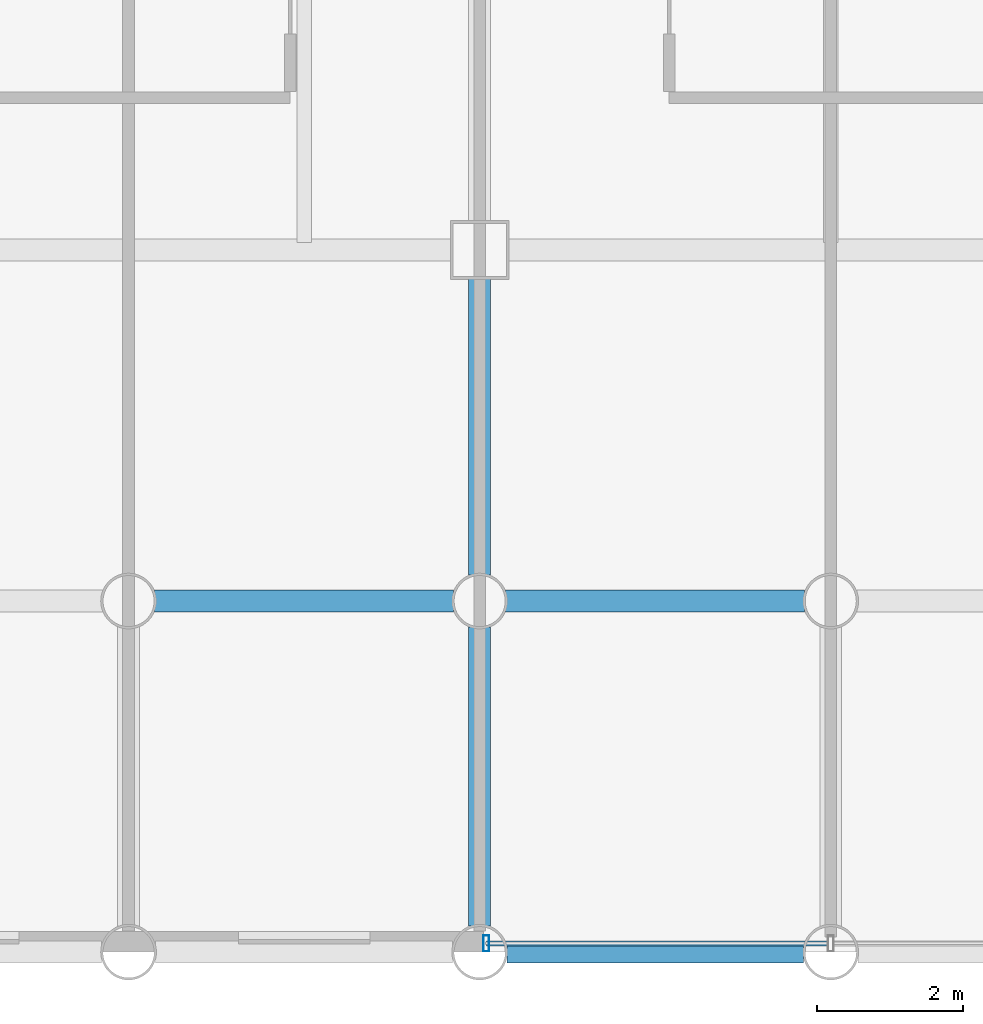
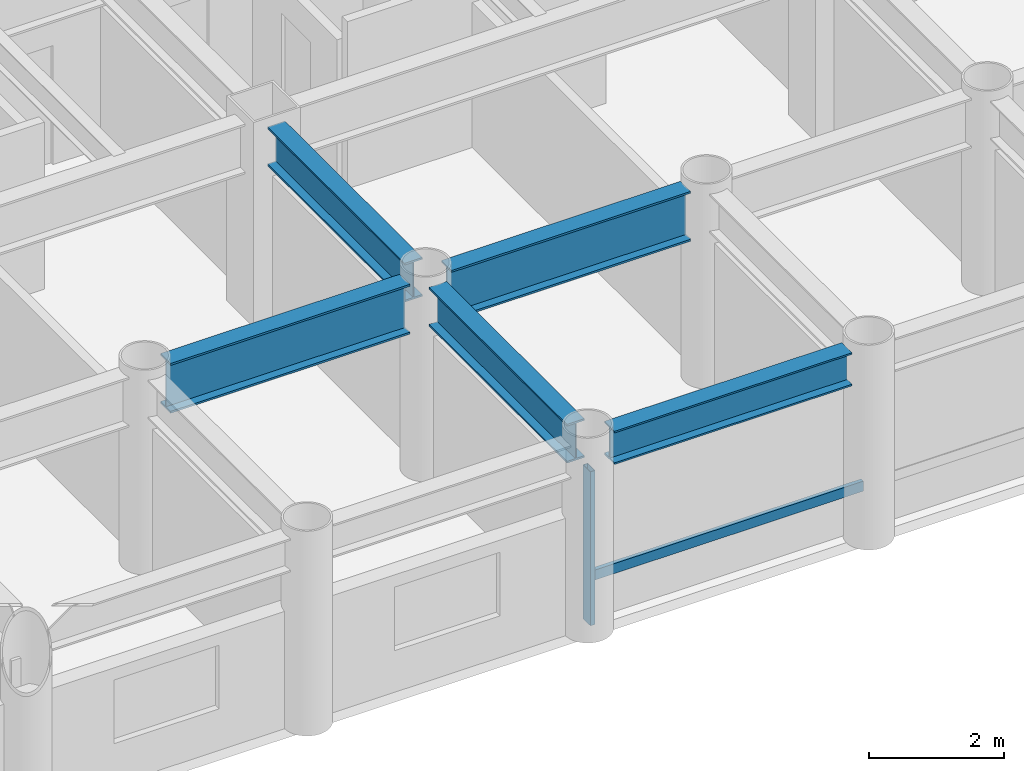
# One storey, part 2 of 22: 5 beams, 2 members, 1 element without a shape of its own.
"""IFC4 building model written with IfcOpenShell, lengths in metres."""

from ifc_helpers import new_model, si_unit, direction, frame, origin, origin_2d, place, context, subcontext, project, spatial, hollow_rectangle, i_section, extrude, material, layer, layer_set, material_profile, profile_set, type_object, element, aggregate, save


model = new_model("IFC4")

# Units and contexts
model_context = context("Model", 3, precision=1e-05, world=origin(), true_north=direction((0.0, 1.0)))
body_context = subcontext(model_context, "Body", "Model", "MODEL_VIEW")
ifc_project = project(units=[si_unit("LENGTHUNIT", "METRE"), si_unit("AREAUNIT", "SQUARE_METRE"), si_unit("VOLUMEUNIT", "CUBIC_METRE"), si_unit("PLANEANGLEUNIT", "RADIAN"), si_unit("MASSUNIT", "GRAM", prefix="KILO")], contexts=[model_context])

# Site, building, storey
site_placement = place(None, origin())
site = spatial("IfcSite", under=ifc_project, at=site_placement, CompositionType="ELEMENT")
building_placement = place(site_placement, origin())
building = spatial("IfcBuilding", under=site, at=building_placement, Name="Kallvorn Hotel Tower", CompositionType="ELEMENT")
storey_placement = place(building_placement, frame((0.0, 0.0, 33.699951171875)))
storey = spatial("IfcBuildingStorey", under=building, at=storey_placement, Name="L06", CompositionType="ELEMENT", Elevation=33.699951171875)

# Beams
ifc_material_1 = material(Name="Structural steel S355JR", Category="steel")
ifc_material_profile_1 = material_profile(ifc_material_1, i_section(OverallWidth=0.300048828125, OverallDepth=0.60009765625, WebThickness=0.015380859375, FlangeThickness=0.030029296875, at=origin_2d()), Name="HE 600 B")
ifc_profile_set_1 = profile_set([ifc_material_profile_1], Name="Structural steel S355JR")
beam_type_1 = type_object("IfcBeamType", Name="BM_HE600B", PredefinedType="SPANDREL", material=ifc_profile_set_1)
beam_1_placement = place(storey_placement, frame((-4.428955078125, -24.0, 3.219970703125), z_axis=(1.0, 0.0, 0.0), x_axis=(0.0, 1.0, 0.0)))
element("IfcBeam", 1, at=beam_1_placement, inside=storey, type_object=beam_type_1, Name="L07 Perimeter Spandrel 156", PredefinedType="SPANDREL", context=body_context, shape_type="SweptSolid", body=[
    extrude(i_section(OverallWidth=0.300048828125, OverallDepth=0.60009765625, WebThickness=0.015380859375, FlangeThickness=0.030029296875, at=origin_2d()), origin(), (0.0, 0.0, 1.0), 4.057861328125),
])
ifc_material_2 = material(Name="Structural steel S355JR", Category="steel")
ifc_material_profile_2 = material_profile(ifc_material_2, i_section(OverallWidth=0.300048828125, OverallDepth=0.699951171875, WebThickness=0.01708984375, FlangeThickness=0.031982421875, at=origin_2d()), Name="HE 700 B")
ifc_profile_set_2 = profile_set([ifc_material_profile_2], Name="Structural steel S355JR")
beam_type_2 = type_object("IfcBeamType", Name="BM_HE700B", PredefinedType="BEAM", material=ifc_profile_set_2)
beam_2_placement = place(storey_placement, frame((-4.800048828125, -23.64404296875, 3.170166015625), z_axis=(0.0, 1.0, 0.0), x_axis=(-1.0, 0.0, 0.0)))
element("IfcBeam", 2, at=beam_2_placement, inside=storey, type_object=beam_type_2, Name="L07 Primary Y-Girder 106", PredefinedType="BEAM", context=body_context, shape_type="SweptSolid", body=[
    extrude(i_section(OverallWidth=0.300048828125, OverallDepth=0.699951171875, WebThickness=0.01708984375, FlangeThickness=0.031982421875, at=origin_2d()), origin(), (0.0, 0.0, 1.0), 4.088134765625),
])
beam_3_placement = place(storey_placement, frame((-4.800048828125, -18.843994140625, 3.170166015625), z_axis=(0.0, 1.0, 0.0), x_axis=(-1.0, 0.0, 0.0)))
element("IfcBeam", 3, at=beam_3_placement, inside=storey, type_object=beam_type_2, Name="L07 Primary Y-Girder 107", PredefinedType="BEAM", context=body_context, shape_type="SweptSolid", body=[
    extrude(i_section(OverallWidth=0.300048828125, OverallDepth=0.699951171875, WebThickness=0.01708984375, FlangeThickness=0.031982421875, at=origin_2d()), origin(), (0.0, 0.0, 1.0), 4.069091796875),
])
ifc_material_3 = material(Name="Structural steel S355JR", Category="steel")
ifc_material_profile_3 = material_profile(ifc_material_3, i_section(OverallWidth=0.300048828125, OverallDepth=0.89990234375, WebThickness=0.0185546875, FlangeThickness=0.034912109375, at=origin_2d()), Name="HE 900 B")
ifc_profile_set_3 = profile_set([ifc_material_profile_3], Name="Structural steel S355JR")
beam_type_3 = type_object("IfcBeamType", Name="BM_HE900B", PredefinedType="BEAM", material=ifc_profile_set_3)
beam_4_placement = place(storey_placement, frame((-9.243896484375, -19.199951171875, 3.070068359375), z_axis=(1.0, 0.0, 0.0), x_axis=(0.0, 1.0, 0.0)))
element("IfcBeam", 4, at=beam_4_placement, inside=storey, type_object=beam_type_3, Name="L07 Primary X-Girder 06", PredefinedType="BEAM", context=body_context, shape_type="SweptSolid", body=[
    extrude(i_section(OverallWidth=0.300048828125, OverallDepth=0.89990234375, WebThickness=0.0185546875, FlangeThickness=0.034912109375, at=origin_2d()), origin(), (0.0, 0.0, 1.0), 4.087890625),
])
beam_5_placement = place(storey_placement, frame((-4.444091796875, -19.199951171875, 3.070068359375), z_axis=(1.0, 0.0, 0.0), x_axis=(0.0, 1.0, 0.0)))
element("IfcBeam", 5, at=beam_5_placement, inside=storey, type_object=beam_type_3, Name="L07 Primary X-Girder 07", PredefinedType="BEAM", context=body_context, shape_type="SweptSolid", body=[
    extrude(i_section(OverallWidth=0.300048828125, OverallDepth=0.89990234375, WebThickness=0.0185546875, FlangeThickness=0.034912109375, at=origin_2d()), origin(), (0.0, 0.0, 1.0), 4.088134765625),
])

# Curtain wall, members
ifc_material_4 = material(Name="Thermally broken black-anodised aluminium AA 6063-T6", Category="aluminium")
ifc_layer = layer(ifc_material_4, 0.199951171875)
ifc_layer_set = layer_set([ifc_layer], Name="CW_SYS_3_HOTEL_LOW")
curtain_wall_type = type_object("IfcCurtainWallType", Name="CW_SYS_3_HOTEL_LOW", PredefinedType="USERDEFINED", material=ifc_layer_set)
curtain_wall_placement = place(storey_placement, origin())
curtain_wall = element("IfcCurtainWall", 6, at=curtain_wall_placement, inside=storey, type_object=curtain_wall_type, Name="L06 Dark-Glass Curtain Wall CW-L06-SC", ObjectType="UNITISED CURTAIN WALL", PredefinedType="USERDEFINED")
ifc_material_5 = material(Name="Thermally broken black-anodised aluminium AA 6063-T6", Category="aluminium")
ifc_material_profile_4 = material_profile(ifc_material_5, hollow_rectangle(XDim=0.080078125, YDim=0.219970703125, WallThickness=0.0048828125, at=origin_2d()), Name="MUL 220x80")
ifc_profile_set_4 = profile_set([ifc_material_profile_4], Name="Thermally broken black-anodised aluminium AA 6063-T6")
member_type_1 = type_object("IfcMemberType", Name="CW_MULLION_220x80", PredefinedType="MULLION", material=ifc_profile_set_4)
member_1_placement = place(storey_placement, frame((-4.7099609375, -23.8798828125, 0.02001953125), z_axis=(0.0, 0.0, 1.0), x_axis=(1.0, 0.0, 0.0)))
member_1 = element("IfcMember", 7, at=member_1_placement, type_object=member_type_1, Name="CW-L06-SC Mullion 00", PredefinedType="MULLION", context=body_context, shape_type="SweptSolid", body=[
    extrude(hollow_rectangle(XDim=0.080078125, YDim=0.219970703125, WallThickness=0.0048828125, at=origin_2d()), origin(), (0.0, 0.0, 1.0), 2.780029296875),
])
ifc_material_6 = material(Name="Thermally broken black-anodised aluminium AA 6063-T6", Category="aluminium")
ifc_material_profile_5 = material_profile(ifc_material_6, hollow_rectangle(XDim=0.070068359375, YDim=0.179931640625, WallThickness=0.00390625, at=origin_2d()), Name="TRN 180x70")
ifc_profile_set_5 = profile_set([ifc_material_profile_5], Name="Thermally broken black-anodised aluminium AA 6063-T6")
member_type_2 = type_object("IfcMemberType", Name="CW_TRANSOM_180x70", PredefinedType="USERDEFINED", material=ifc_profile_set_5)
member_2_placement = place(storey_placement, frame((-4.7099609375, -23.8798828125, 0.85009765625), z_axis=(1.0, 0.0, 0.0), x_axis=(0.0, 1.0, 0.0)))
member_2 = element("IfcMember", 8, at=member_2_placement, type_object=member_type_2, Name="CW-L06-SC Transom 00M", ObjectType="TRANSOM", PredefinedType="USERDEFINED", context=body_context, shape_type="SweptSolid", body=[
    extrude(hollow_rectangle(XDim=0.070068359375, YDim=0.179931640625, WallThickness=0.00390625, at=origin_2d()), origin(), (0.0, 0.0, 1.0), 4.669921875),
])
aggregate(curtain_wall, [member_1, member_2])

save(model, "model.ifc")
